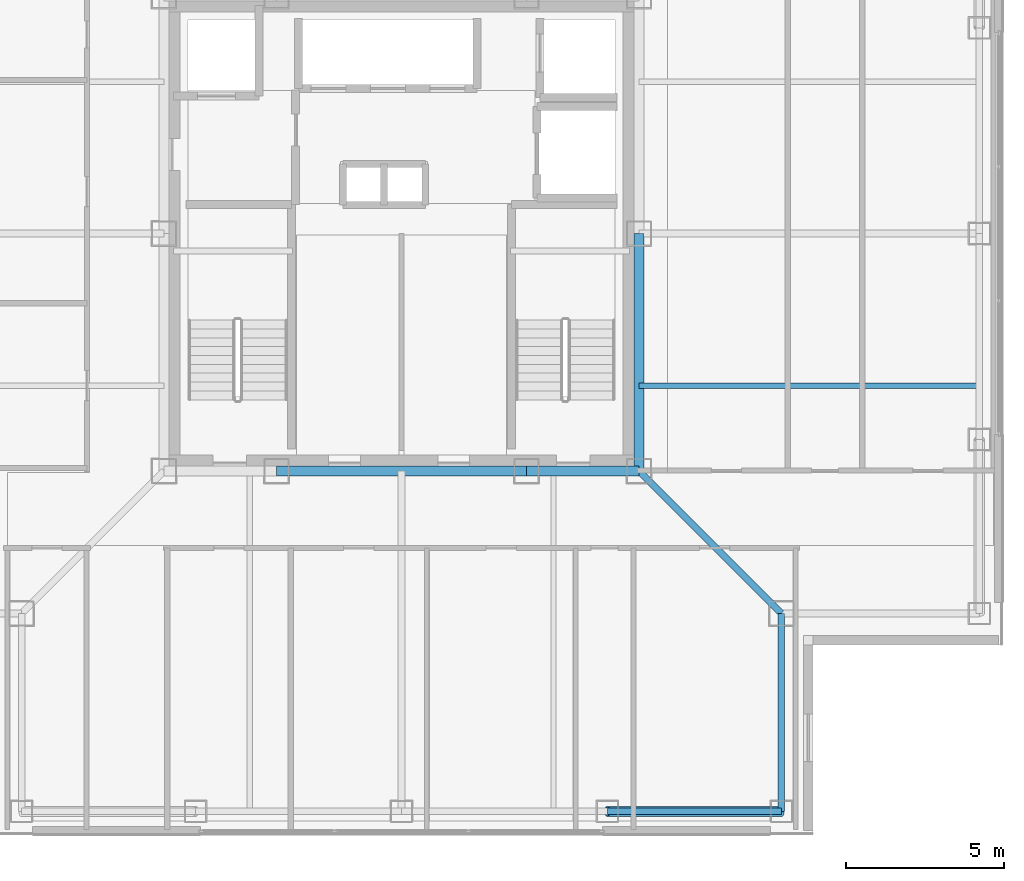
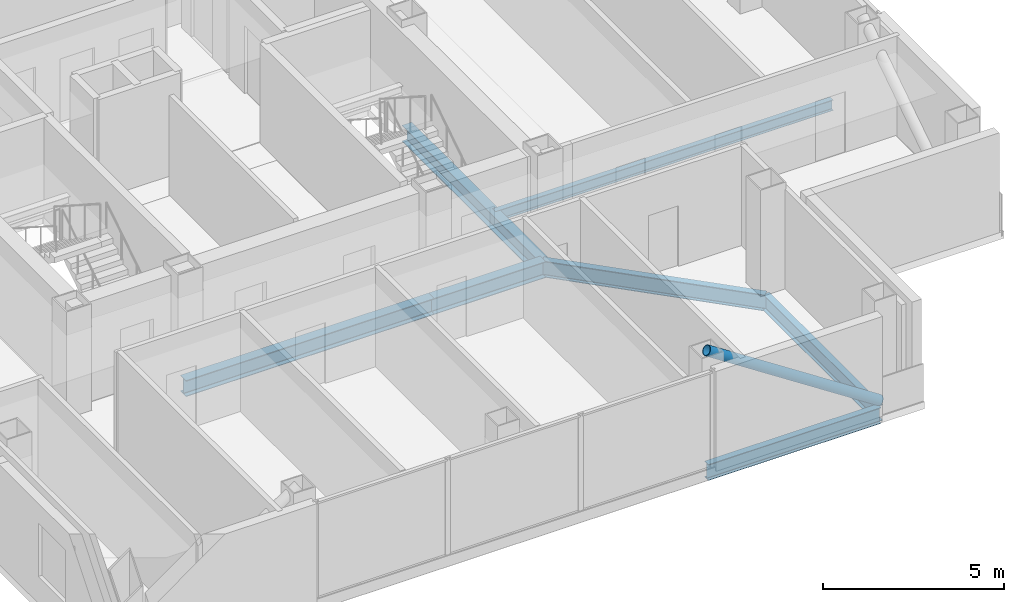
# One storey, part 3 of 16: 7 beams, 1 member.
"""IFC4 building model written with IfcOpenShell, lengths in metres."""

from ifc_helpers import new_model, si_unit, direction, frame, origin, origin_2d, place, context, subcontext, project, spatial, hollow_circle, i_section, extrude, material, material_profile, profile_set, type_object, element, save


model = new_model("IFC4")

# Units and contexts
model_context = context("Model", 3, precision=1e-05, world=origin(), true_north=direction((0.0, 1.0)))
body_context = subcontext(model_context, "Body", "Model", "MODEL_VIEW")
ifc_project = project(units=[si_unit("LENGTHUNIT", "METRE"), si_unit("AREAUNIT", "SQUARE_METRE"), si_unit("VOLUMEUNIT", "CUBIC_METRE"), si_unit("PLANEANGLEUNIT", "RADIAN"), si_unit("MASSUNIT", "GRAM", prefix="KILO")], contexts=[model_context])

# Site, building, storey
site_placement = place(None, origin())
site = spatial("IfcSite", under=ifc_project, at=site_placement, CompositionType="ELEMENT")
building_placement = place(site_placement, origin())
building = spatial("IfcBuilding", under=site, at=building_placement, Name="Trevonay Congress Spire", CompositionType="ELEMENT")
storey_placement = place(building_placement, frame((0.0, 0.0, 290.0)))
storey = spatial("IfcBuildingStorey", under=building, at=storey_placement, Name="L76", CompositionType="ELEMENT", Elevation=290.0)

# Beams
ifc_material_1 = material(Name="Steel ASTM A572 Grade 50", Category="steel")
ifc_material_profile_1 = material_profile(ifc_material_1, i_section(OverallWidth=0.2119140625, OverallDepth=0.5439453125, WebThickness=0.01318359375, FlangeThickness=0.021240234375, FilletRadius=0.014892578125, at=origin_2d()), Name="W530x123")
ifc_profile_set_1 = profile_set([ifc_material_profile_1], Name="Steel ASTM A572 Grade 50")
beam_type_1 = type_object("IfcBeamType", Name="BM-GIRD-W530X123", PredefinedType="BEAM", material=ifc_profile_set_1)
beam_1_placement = place(storey_placement, frame((7.5, -7.5, -0.511962890625), z_axis=(0.707106781187, -0.707106781187, 0.0), x_axis=(0.707106781187, 0.707106781187, 0.0)))
element("IfcBeam", 1, at=beam_1_placement, inside=storey, type_object=beam_type_1, Name="L76 structural beam BM-L76-CDSE", PredefinedType="BEAM", context=body_context, shape_type="SweptSolid", body=[
    extrude(i_section(OverallWidth=0.2119140625, OverallDepth=0.5439453125, WebThickness=0.01318359375, FlangeThickness=0.021240234375, FilletRadius=0.014892578125, at=origin_2d()), origin(), (0.0, 0.0, 1.0), 6.364013671875),
])
ifc_material_profile_2 = material_profile(ifc_material_1, i_section(OverallWidth=0.31201171875, OverallDepth=0.54296875, WebThickness=0.0126953125, FlangeThickness=0.020263671875, FilletRadius=0.014892578125, at=origin_2d()), Name="W530x150")
ifc_profile_set_2 = profile_set([ifc_material_profile_2], Name="Steel ASTM A572 Grade 50")
beam_type_2 = type_object("IfcBeamType", Name="BM-GIRD-W530X150", PredefinedType="BEAM", material=ifc_profile_set_2)
beam_2_placement = place(storey_placement, frame((-3.949951171875, -7.5, -0.511474609375), z_axis=(1.0, 0.0, 0.0), x_axis=(0.0, 1.0, 0.0)))
element("IfcBeam", 2, at=beam_2_placement, inside=storey, type_object=beam_type_2, Name="L76 structural beam BM-L76-CR-S2", PredefinedType="BEAM", context=body_context, shape_type="SweptSolid", body=[
    extrude(i_section(OverallWidth=0.31201171875, OverallDepth=0.54296875, WebThickness=0.0126953125, FlangeThickness=0.020263671875, FilletRadius=0.014892578125, at=origin_2d()), origin(), (0.0, 0.0, 1.0), 7.89990234375),
])
beam_3_placement = place(storey_placement, frame((3.949951171875, -7.5, -0.511474609375), z_axis=(1.0, 0.0, 0.0), x_axis=(0.0, 1.0, 0.0)))
element("IfcBeam", 3, at=beam_3_placement, inside=storey, type_object=beam_type_2, Name="L76 structural beam BM-L76-CR-S3", PredefinedType="BEAM", context=body_context, shape_type="SweptSolid", body=[
    extrude(i_section(OverallWidth=0.31201171875, OverallDepth=0.54296875, WebThickness=0.0126953125, FlangeThickness=0.020263671875, FilletRadius=0.014892578125, at=origin_2d()), origin(), (0.0, 0.0, 1.0), 3.550048828125),
])
beam_4_placement = place(storey_placement, frame((7.5, -7.5, -0.511474609375), z_axis=(0.0, 1.0, 0.0), x_axis=(-1.0, 0.0, 0.0)))
element("IfcBeam", 4, at=beam_4_placement, inside=storey, type_object=beam_type_2, Name="L76 structural beam BM-L76-CR-E1", PredefinedType="BEAM", context=body_context, shape_type="SweptSolid", body=[
    extrude(i_section(OverallWidth=0.31201171875, OverallDepth=0.54296875, WebThickness=0.0126953125, FlangeThickness=0.020263671875, FilletRadius=0.014892578125, at=origin_2d()), origin(), (0.0, 0.0, 1.0), 7.5),
])
ifc_material_profile_3 = material_profile(ifc_material_1, i_section(OverallWidth=0.208984375, OverallDepth=0.532958984375, WebThickness=0.01025390625, FlangeThickness=0.015625, FilletRadius=0.014892578125, at=origin_2d()), Name="W530x92")
ifc_profile_set_3 = profile_set([ifc_material_profile_3], Name="Steel ASTM A572 Grade 50")
beam_type_3 = type_object("IfcBeamType", Name="BM-RING-W530X92", PredefinedType="BEAM", material=ifc_profile_set_3)
beam_5_placement = place(storey_placement, frame((6.5, -18.25, -0.506591796875), z_axis=(1.0, 0.0, 0.0), x_axis=(0.0, 1.0, 0.0)))
element("IfcBeam", 5, at=beam_5_placement, inside=storey, type_object=beam_type_3, Name="L76 structural beam BM-L76-PS4", PredefinedType="BEAM", context=body_context, shape_type="SweptSolid", body=[
    extrude(i_section(OverallWidth=0.208984375, OverallDepth=0.532958984375, WebThickness=0.01025390625, FlangeThickness=0.015625, FilletRadius=0.014892578125, at=origin_2d()), origin(), (0.0, 0.0, 1.0), 5.5),
])
beam_6_placement = place(storey_placement, frame((12.0, -18.25, -0.506591796875), z_axis=(0.0, 1.0, 0.0), x_axis=(-1.0, 0.0, 0.0)))
element("IfcBeam", 6, at=beam_6_placement, inside=storey, type_object=beam_type_3, Name="L76 structural beam BM-L76-N1SE", PredefinedType="BEAM", context=body_context, shape_type="SweptSolid", body=[
    extrude(i_section(OverallWidth=0.208984375, OverallDepth=0.532958984375, WebThickness=0.01025390625, FlangeThickness=0.015625, FilletRadius=0.014892578125, at=origin_2d()), origin(), (0.0, 0.0, 1.0), 6.25),
])
ifc_material_profile_4 = material_profile(ifc_material_1, i_section(OverallWidth=0.172119140625, OverallDepth=0.35791015625, WebThickness=0.0078125, FlangeThickness=0.01318359375, FilletRadius=0.011962890625, at=origin_2d()), Name="W360x57.8")
ifc_profile_set_4 = profile_set([ifc_material_profile_4], Name="Steel ASTM A572 Grade 50")
beam_type_4 = type_object("IfcBeamType", Name="JS-COMP-W360X57", PredefinedType="JOIST", material=ifc_profile_set_4)
beam_7_placement = place(storey_placement, frame((7.5, -4.800048828125, -0.4189453125), z_axis=(1.0, 0.0, 0.0), x_axis=(0.0, 1.0, 0.0)))
element("IfcBeam", 7, at=beam_7_placement, inside=storey, type_object=beam_type_4, Name="L76 structural beam JS-L76-EW-E1", PredefinedType="JOIST", context=body_context, shape_type="SweptSolid", body=[
    extrude(i_section(OverallWidth=0.172119140625, OverallDepth=0.35791015625, WebThickness=0.0078125, FlangeThickness=0.01318359375, FilletRadius=0.011962890625, at=origin_2d()), origin(), (0.0, 0.0, 1.0), 10.75),
])

# Member
ifc_material_2 = material(Name="Steel ASTM A500 Grade C", Category="steel")
ifc_material_profile_5 = material_profile(ifc_material_2, hollow_circle(Radius=0.161865234375, WallThickness=0.01611328125, at=origin_2d()), Name="CHS 323.9x16")
ifc_profile_set_5 = profile_set([ifc_material_profile_5], Name="Steel ASTM A500 Grade C")
member_type = type_object("IfcMemberType", Name="MBR-TUBE-CHS324", PredefinedType="BRACE", material=ifc_profile_set_5)
member_placement = place(storey_placement, frame((12.0, -18.25, -0.050048828125), z_axis=(-0.836694709366, 0.0, 0.547669574943), x_axis=(0.0, -1.0, 0.0)))
element("IfcMember", 8, at=member_placement, inside=storey, type_object=member_type, Name="L76 perimeter braced-tube diagonal S3", PredefinedType="BRACE", context=body_context, shape_type="SweptSolid", body=[
    extrude(hollow_circle(Radius=0.161865234375, WallThickness=0.01611328125, at=origin_2d()), origin(), (0.0, 0.0, 1.0), 6.573486328125),
])

save(model, "model.ifc")
